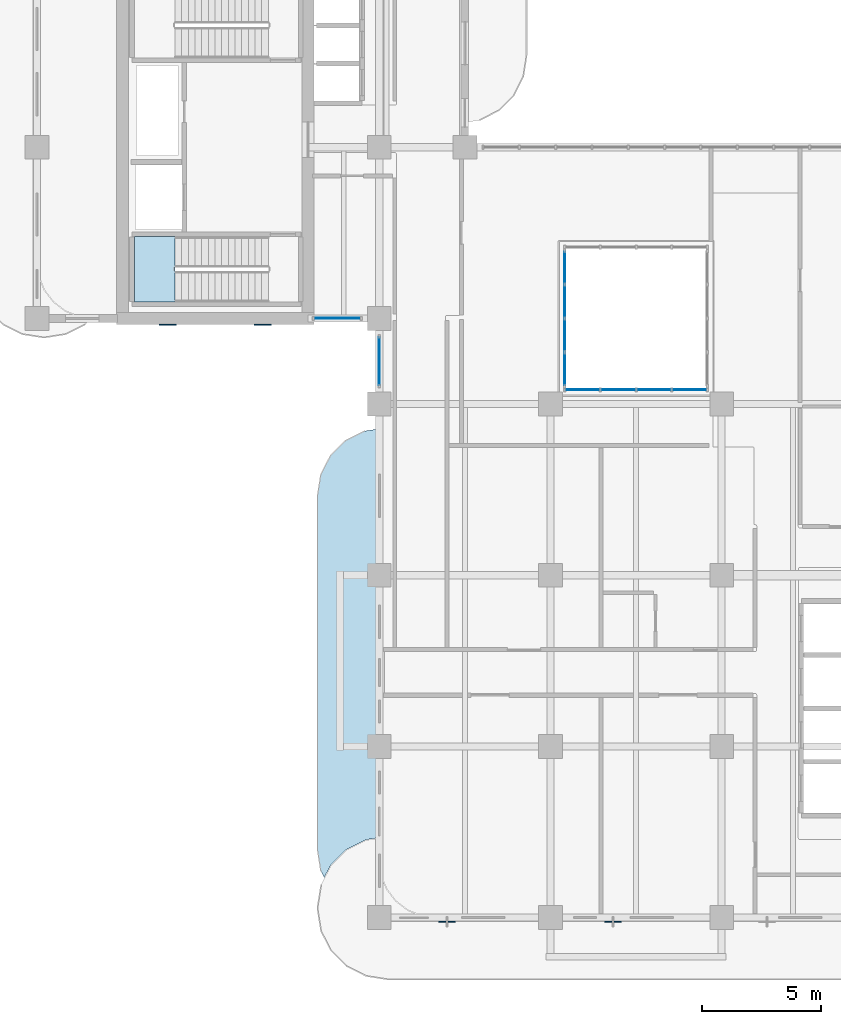
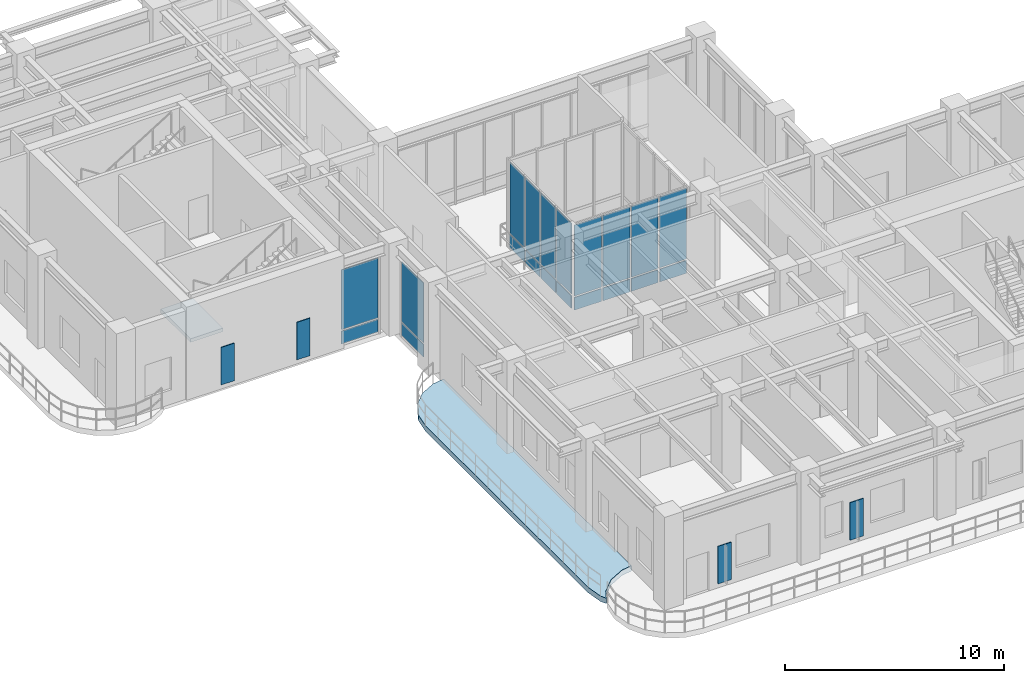
# One storey, part 7 of 21: 24 plates, 2 slabs, 5 elements without a shape of their own.
"""IFC4 building model written with IfcOpenShell, lengths in metres."""

from ifc_helpers import new_model, si_unit, derived_unit, direction, frame, origin, origin_2d, place, context, subcontext, project, spatial, polyline, rectangle, outline, extrude, source, transform, mapped, material, layer, layer_set, type_object, type_shapes, element, aggregate, save


model = new_model("IFC4")

# Units and contexts
model_context = context("Model", 3, precision=1e-05, world=origin(), true_north=direction((0.0, 1.0)))
body_context = subcontext(model_context, "Body", "Model", "MODEL_VIEW")
ifc_project = project(units=[si_unit("LENGTHUNIT", "METRE"), si_unit("AREAUNIT", "SQUARE_METRE"), si_unit("VOLUMEUNIT", "CUBIC_METRE"), si_unit("PLANEANGLEUNIT", "RADIAN"), si_unit("MASSUNIT", "GRAM", prefix="KILO"), si_unit("THERMODYNAMICTEMPERATUREUNIT", "KELVIN"), si_unit("POWERUNIT", "WATT"), derived_unit("THERMALTRANSMITTANCEUNIT", [(si_unit("POWERUNIT", "WATT"), 1), (si_unit("AREAUNIT", "SQUARE_METRE"), -1), (si_unit("THERMODYNAMICTEMPERATUREUNIT", "KELVIN"), -1)])], contexts=[model_context])

# Site, building, storey
site_placement = place(None, origin())
site = spatial("IfcSite", under=ifc_project, at=site_placement, CompositionType="ELEMENT")
building_placement = place(site_placement, origin())
building = spatial("IfcBuilding", under=site, at=building_placement, Name="Zahravan Archway Hotel and Residences", CompositionType="ELEMENT")
storey_placement = place(building_placement, frame((0.0, 0.0, 145.10009765625)))
storey = spatial("IfcBuildingStorey", under=building, at=storey_placement, Name="L36", CompositionType="ELEMENT", Elevation=145.10009765625)

# Slab
ifc_material_1 = material(Name="Concrete C50/60", Category="concrete")
ifc_layer_1 = layer(ifc_material_1, 0.300048828125, Name="Concrete C50/60", Category="concrete")
ifc_layer_set_1 = layer_set([ifc_layer_1], Name="Concrete C50/60")
slab_type_1 = type_object("IfcSlabType", Name="SLB-FLR-300", PredefinedType="FLOOR", material=ifc_layer_set_1)
slab_1_placement = place(storey_placement, frame((0.0, 0.0, -0.300048828125)))
element("IfcSlab", 1, at=slab_1_placement, inside=storey, type_object=slab_type_1, Name="L36 Wing A West Rounded Balcony Band", PredefinedType="FLOOR", context=body_context, shape_type="SweptSolid", body=[
    extrude(outline(polyline([(11.939453125, 1.96923828125), (11.800048828125, 2.85009765625), (11.800048828125, 17.75), (11.939453125, 18.630615234375), (12.34423828125, 19.42529296875), (12.974853515625, 20.0556640625), (13.769287109375, 20.46044921875), (14.3798828125, 20.55712890625), (14.3798828125, 3.361328125), (14.37890625, 3.361328125), (14.376953125, 3.361083984375), (13.835205078125, 3.275390625), (13.833251953125, 3.27490234375), (13.831298828125, 3.2744140625), (13.829345703125, 3.2734375), (13.0068359375, 2.8544921875), (13.005126953125, 2.853515625), (13.00341796875, 2.85205078125), (13.001953125, 2.8505859375), (12.349365234375, 2.197998046875), (12.347900390625, 2.196533203125), (12.3466796875, 2.19482421875), (12.345703125, 2.193115234375), (12.08544921875, 1.6826171875), (11.939453125, 1.96923828125)])), origin(), (0.0, 0.0, 1.0), 0.300048828125),
])

# Stair, slab
stair_type = type_object("IfcStairType", Name="STR-CORE-1300", PredefinedType="HALF_TURN_STAIR", material=ifc_material_1)
stair_placement = place(storey_placement, origin())
stair = element("IfcStair", 2, at=stair_placement, inside=storey, type_object=stair_type, Name="L36 Core B Exit Stair 1", PredefinedType="HALF_TURN_STAIR")
ifc_layer_2 = layer(ifc_material_1, 0.199951171875, Name="Concrete C50/60", Category="concrete")
ifc_layer_set_2 = layer_set([ifc_layer_2], Name="Concrete C50/60")
slab_type_2 = type_object("IfcSlabType", Name="SLB-LND-200", PredefinedType="LANDING", material=ifc_layer_set_2)
slab_2_placement = place(storey_placement, frame((0.0, 0.0, 2.39990234375)))
slab_2 = element("IfcSlab", 3, at=slab_2_placement, type_object=slab_type_2, Name="ST-B1 landing 1", PredefinedType="LANDING", context=body_context, shape_type="SweptSolid", body=[
    extrude(outline(polyline([(5.81005859375, 28.639892578125), (4.10009765625, 28.639892578125), (4.10009765625, 25.89990234375), (5.81005859375, 25.89990234375), (5.81005859375, 28.639892578125)])), origin(), (0.0, 0.0, 1.0), 0.199951171875),
])
aggregate(stair, [slab_2])

# Plates
ifc_material_2 = material(Name="Perforated Cast Bronze Jali Lattice")
ifc_layer_3 = layer(ifc_material_2, 0.044921875, Name="Perforated Cast Bronze Jali Lattice")
ifc_layer_set_3 = layer_set([ifc_layer_3], Name="Perforated Cast Bronze Jali Lattice")
plate_type_1 = type_object("IfcPlateType", Name="PLT-JALI-BAY", PredefinedType="USERDEFINED", material=ifc_layer_set_3)
shared_shape_1 = source(origin(), body_context, "Body", "SweptSolid", [
    extrude(rectangle(XDim=0.699951171875, YDim=0.044921875, at=origin_2d()), origin(), (0.0, 0.0, 1.0), 2.10009765625),
])
type_shapes(plate_type_1, [shared_shape_1])
for number, where, z_axis, x_axis, name in (
    (4, (5.5, 24.931884765625, 0.249755859375), (0.0, 0.0, 1.0), (1.0, 0.0, 0.0), "L36 Core B South Mughal Jali Screen 1"),
    (5, (9.5, 24.931884765625, 0.249755859375), (0.0, 0.0, 1.0), (1.0, 0.0, 0.0), "L36 Core B South Mughal Jali Screen 2"),
    (6, (17.25, -0.177978515625, 0.249755859375), (0.0, 0.0, 1.0), (1.0, 0.0, 0.0), "L36 Perforated Bronze Jali Pier Screen 01"),
    (7, (24.22802734375, -0.177978515625, 0.249755859375), (0.0, 0.0, 1.0), (1.0, 0.0, 0.0), "L36 Perforated Bronze Jali Pier Screen 02"),
):
    element("IfcPlate", number, at=place(storey_placement, frame(where, z_axis=z_axis, x_axis=x_axis)), inside=storey, type_object=plate_type_1, Name=name, ObjectType="SCREEN", PredefinedType="USERDEFINED", context=body_context, shape_type="MappedRepresentation", body=[
        mapped(shared_shape_1, transform((0.0, 0.0, 0.0), scale=1.0)),
    ])

# Curtain wall, plates
ifc_material_3 = material(Name="Bronze-Anodized Unitised Aluminium & Low-E Glass", Category="aluminium")
ifc_layer_4 = layer(ifc_material_3, 0.179931640625, Name="Bronze-Anodized Unitised Aluminium & Low-E Glass", Category="aluminium")
ifc_layer_set_4 = layer_set([ifc_layer_4], Name="Bronze-Anodized Unitised Aluminium & Low-E Glass")
curtain_wall_type_1 = type_object("IfcCurtainWallType", Name="CW-SBG-2", PredefinedType="NOTDEFINED", material=ifc_layer_set_4)
curtain_wall_1_placement = place(storey_placement, origin())
curtain_wall_1 = element("IfcCurtainWall", 8, at=curtain_wall_1_placement, inside=storey, type_object=curtain_wall_type_1, Name="L36 Curtain Wall CW-L36-WA-WLU-1", PredefinedType="NOTDEFINED")
ifc_material_4 = material(Name="Insulated Terracotta Spandrel Panel", Category="masonry")
ifc_layer_5 = layer(ifc_material_4, 0.0400390625, Name="Insulated Terracotta Spandrel Panel", Category="masonry")
ifc_layer_set_5 = layer_set([ifc_layer_5], Name="Insulated Terracotta Spandrel Panel")
plate_type_2 = type_object("IfcPlateType", Name="CWP-SPN-40", PredefinedType="SHEET", material=ifc_layer_set_5)
shared_shape_2 = source(origin(), body_context, "Body", "SweptSolid", [
    extrude(rectangle(XDim=2.0, YDim=0.0400390625, at=origin_2d()), origin(), (0.0, 0.0, 1.0), 0.7099609375),
])
plate_1_placement = place(storey_placement, frame((14.39990234375, 23.39990234375, 0.099853515625), z_axis=(0.0, 0.0, 1.0), x_axis=(0.0, 1.0, 0.0)))
plate_1 = element("IfcPlate", 9, at=plate_1_placement, type_object=plate_type_2, Name="CW-L36-WA-WLU-1 Spandrel Panel 0", PredefinedType="SHEET", context=body_context, shape_type="MappedRepresentation", body=[
    mapped(shared_shape_2, transform((0.0, 0.0, 0.0), scale=1.0)),
])
ifc_material_5 = material(Name="Double-Silver Low-E Insulated Vision Glass", Category="glass")
ifc_layer_6 = layer(ifc_material_5, 0.028076171875, Name="Double-Silver Low-E Insulated Vision Glass", Category="glass")
ifc_layer_set_6 = layer_set([ifc_layer_6], Name="Double-Silver Low-E Insulated Vision Glass")
plate_type_3 = type_object("IfcPlateType", Name="CWP-GLZ-28", PredefinedType="CURTAIN_PANEL", material=ifc_layer_set_6)
shared_shape_3 = source(origin(), body_context, "Body", "SweptSolid", [
    extrude(rectangle(XDim=2.0, YDim=0.028076171875, at=origin_2d()), origin(), (0.0, 0.0, 1.0), 3.344970703125),
])
plate_2_placement = place(storey_placement, frame((14.39990234375, 23.39990234375, 0.89013671875), z_axis=(0.0, 0.0, 1.0), x_axis=(0.0, 1.0, 0.0)))
plate_2 = element("IfcPlate", 10, at=plate_2_placement, type_object=plate_type_3, Name="CW-L36-WA-WLU-1 Low-E Vision Panel 0", PredefinedType="CURTAIN_PANEL", context=body_context, shape_type="MappedRepresentation", body=[
    mapped(shared_shape_3, transform((0.0, 0.0, 0.0), scale=1.0)),
])
aggregate(curtain_wall_1, [plate_1, plate_2])

curtain_wall_2_placement = place(storey_placement, origin())
curtain_wall_2 = element("IfcCurtainWall", 11, at=curtain_wall_2_placement, inside=storey, type_object=curtain_wall_type_1, Name="L36 Curtain Wall CW-L36-WB-SE-1", PredefinedType="NOTDEFINED")
shared_shape_4 = source(origin(), body_context, "Body", "SweptSolid", [
    extrude(rectangle(XDim=1.93994140625, YDim=0.0400390625, at=origin_2d()), origin(), (0.0, 0.0, 1.0), 0.7099609375),
])
plate_3_placement = place(storey_placement, frame((12.6298828125, 25.199951171875, 0.099853515625), z_axis=(0.0, 0.0, 1.0), x_axis=(1.0, 0.0, 0.0)))
plate_3 = element("IfcPlate", 12, at=plate_3_placement, type_object=plate_type_2, Name="CW-L36-WB-SE-1 Spandrel Panel 0", PredefinedType="SHEET", context=body_context, shape_type="MappedRepresentation", body=[
    mapped(shared_shape_4, transform((0.0, 0.0, 0.0), scale=1.0)),
])
shared_shape_5 = source(origin(), body_context, "Body", "SweptSolid", [
    extrude(rectangle(XDim=1.93994140625, YDim=0.028076171875, at=origin_2d()), origin(), (0.0, 0.0, 1.0), 3.344970703125),
])
plate_4_placement = place(storey_placement, frame((12.6298828125, 25.199951171875, 0.89013671875), z_axis=(0.0, 0.0, 1.0), x_axis=(1.0, 0.0, 0.0)))
plate_4 = element("IfcPlate", 13, at=plate_4_placement, type_object=plate_type_3, Name="CW-L36-WB-SE-1 Low-E Vision Panel 0", PredefinedType="CURTAIN_PANEL", context=body_context, shape_type="MappedRepresentation", body=[
    mapped(shared_shape_5, transform((0.0, 0.0, 0.0), scale=1.0)),
])
aggregate(curtain_wall_2, [plate_3, plate_4])

ifc_layer_7 = layer(ifc_material_3, 0.179931640625, Name="Bronze-Anodized Unitised Aluminium & Low-E Glass", Category="aluminium")
ifc_layer_set_7 = layer_set([ifc_layer_7], Name="Bronze-Anodized Unitised Aluminium & Low-E Glass")
curtain_wall_type_2 = type_object("IfcCurtainWallType", Name="CW-ATR-GLAZ", PredefinedType="NOTDEFINED", material=ifc_layer_set_7)
curtain_wall_3_placement = place(storey_placement, origin())
curtain_wall_3 = element("IfcCurtainWall", 14, at=curtain_wall_3_placement, inside=storey, type_object=curtain_wall_type_2, Name="L36 Curtain Wall CW-ATR-L36-S-1", PredefinedType="NOTDEFINED")
shared_shape_6 = source(origin(), body_context, "Body", "SweptSolid", [
    extrude(rectangle(XDim=1.419921875, YDim=0.0400390625, at=origin_2d()), origin(), (0.0, 0.0, 1.0), 0.7099609375),
])
plate_5_placement = place(storey_placement, frame((22.949951171875, 22.199951171875, 0.099853515625), z_axis=(0.0, 0.0, 1.0), x_axis=(1.0, 0.0, 0.0)))
plate_5 = element("IfcPlate", 15, at=plate_5_placement, type_object=plate_type_2, Name="CW-ATR-L36-S-1 Spandrel Panel 0", PredefinedType="SHEET", context=body_context, shape_type="MappedRepresentation", body=[
    mapped(shared_shape_6, transform((0.0, 0.0, 0.0), scale=1.0)),
])
plate_6_placement = place(storey_placement, frame((24.449951171875, 22.199951171875, 0.099853515625), z_axis=(0.0, 0.0, 1.0), x_axis=(1.0, 0.0, 0.0)))
plate_6 = element("IfcPlate", 16, at=plate_6_placement, type_object=plate_type_2, Name="CW-ATR-L36-S-1 Spandrel Panel 1", PredefinedType="SHEET", context=body_context, shape_type="MappedRepresentation", body=[
    mapped(shared_shape_6, transform((0.0, 0.0, 0.0), scale=1.0)),
])
plate_7_placement = place(storey_placement, frame((25.949951171875, 22.199951171875, 0.099853515625), z_axis=(0.0, 0.0, 1.0), x_axis=(1.0, 0.0, 0.0)))
plate_7 = element("IfcPlate", 17, at=plate_7_placement, type_object=plate_type_2, Name="CW-ATR-L36-S-1 Spandrel Panel 2", PredefinedType="SHEET", context=body_context, shape_type="MappedRepresentation", body=[
    mapped(shared_shape_6, transform((0.0, 0.0, 0.0), scale=1.0)),
])
plate_8_placement = place(storey_placement, frame((27.449951171875, 22.199951171875, 0.099853515625), z_axis=(0.0, 0.0, 1.0), x_axis=(1.0, 0.0, 0.0)))
plate_8 = element("IfcPlate", 18, at=plate_8_placement, type_object=plate_type_2, Name="CW-ATR-L36-S-1 Spandrel Panel 3", PredefinedType="SHEET", context=body_context, shape_type="MappedRepresentation", body=[
    mapped(shared_shape_6, transform((0.0, 0.0, 0.0), scale=1.0)),
])
shared_shape_7 = source(origin(), body_context, "Body", "SweptSolid", [
    extrude(rectangle(XDim=1.419921875, YDim=0.028076171875, at=origin_2d()), origin(), (0.0, 0.0, 1.0), 3.9599609375),
])
plate_9_placement = place(storey_placement, frame((22.949951171875, 22.199951171875, 0.889892578125), z_axis=(0.0, 0.0, 1.0), x_axis=(1.0, 0.0, 0.0)))
plate_9 = element("IfcPlate", 19, at=plate_9_placement, type_object=plate_type_3, Name="CW-ATR-L36-S-1 Low-E Vision Panel 0", PredefinedType="CURTAIN_PANEL", context=body_context, shape_type="MappedRepresentation", body=[
    mapped(shared_shape_7, transform((0.0, 0.0, 0.0), scale=1.0)),
])
plate_10_placement = place(storey_placement, frame((24.449951171875, 22.199951171875, 0.889892578125), z_axis=(0.0, 0.0, 1.0), x_axis=(1.0, 0.0, 0.0)))
plate_10 = element("IfcPlate", 20, at=plate_10_placement, type_object=plate_type_3, Name="CW-ATR-L36-S-1 Low-E Vision Panel 1", PredefinedType="CURTAIN_PANEL", context=body_context, shape_type="MappedRepresentation", body=[
    mapped(shared_shape_7, transform((0.0, 0.0, 0.0), scale=1.0)),
])
plate_11_placement = place(storey_placement, frame((25.949951171875, 22.199951171875, 0.889892578125), z_axis=(0.0, 0.0, 1.0), x_axis=(1.0, 0.0, 0.0)))
plate_11 = element("IfcPlate", 21, at=plate_11_placement, type_object=plate_type_3, Name="CW-ATR-L36-S-1 Low-E Vision Panel 2", PredefinedType="CURTAIN_PANEL", context=body_context, shape_type="MappedRepresentation", body=[
    mapped(shared_shape_7, transform((0.0, 0.0, 0.0), scale=1.0)),
])
plate_12_placement = place(storey_placement, frame((27.449951171875, 22.199951171875, 0.889892578125), z_axis=(0.0, 0.0, 1.0), x_axis=(1.0, 0.0, 0.0)))
plate_12 = element("IfcPlate", 22, at=plate_12_placement, type_object=plate_type_3, Name="CW-ATR-L36-S-1 Low-E Vision Panel 3", PredefinedType="CURTAIN_PANEL", context=body_context, shape_type="MappedRepresentation", body=[
    mapped(shared_shape_7, transform((0.0, 0.0, 0.0), scale=1.0)),
])
aggregate(curtain_wall_3, [plate_5, plate_9, plate_6, plate_10, plate_7, plate_11, plate_8, plate_12])

curtain_wall_4_placement = place(storey_placement, origin())
curtain_wall_4 = element("IfcCurtainWall", 23, at=curtain_wall_4_placement, inside=storey, type_object=curtain_wall_type_2, Name="L36 Curtain Wall CW-ATR-L36-W-1", PredefinedType="NOTDEFINED")
shared_shape_8 = source(origin(), body_context, "Body", "SweptSolid", [
    extrude(rectangle(XDim=1.344970703125, YDim=0.0400390625, at=origin_2d()), origin(), (0.0, 0.0, 1.0), 0.7099609375),
])
plate_13_placement = place(storey_placement, frame((22.199951171875, 23.0625, 0.099853515625), z_axis=(0.0, 0.0, 1.0), x_axis=(0.0, 1.0, 0.0)))
plate_13 = element("IfcPlate", 24, at=plate_13_placement, type_object=plate_type_2, Name="CW-ATR-L36-W-1 Spandrel Panel 0", PredefinedType="SHEET", context=body_context, shape_type="MappedRepresentation", body=[
    mapped(shared_shape_8, transform((0.0, 0.0, 0.0), scale=1.0)),
])
plate_14_placement = place(storey_placement, frame((22.199951171875, 24.487548828125, 0.099853515625), z_axis=(0.0, 0.0, 1.0), x_axis=(0.0, 1.0, 0.0)))
plate_14 = element("IfcPlate", 25, at=plate_14_placement, type_object=plate_type_2, Name="CW-ATR-L36-W-1 Spandrel Panel 1", PredefinedType="SHEET", context=body_context, shape_type="MappedRepresentation", body=[
    mapped(shared_shape_8, transform((0.0, 0.0, 0.0), scale=1.0)),
])
plate_15_placement = place(storey_placement, frame((22.199951171875, 25.91259765625, 0.099853515625), z_axis=(0.0, 0.0, 1.0), x_axis=(0.0, 1.0, 0.0)))
plate_15 = element("IfcPlate", 26, at=plate_15_placement, type_object=plate_type_2, Name="CW-ATR-L36-W-1 Spandrel Panel 2", PredefinedType="SHEET", context=body_context, shape_type="MappedRepresentation", body=[
    mapped(shared_shape_8, transform((0.0, 0.0, 0.0), scale=1.0)),
])
plate_16_placement = place(storey_placement, frame((22.199951171875, 27.33740234375, 0.099853515625), z_axis=(0.0, 0.0, 1.0), x_axis=(0.0, 1.0, 0.0)))
plate_16 = element("IfcPlate", 27, at=plate_16_placement, type_object=plate_type_2, Name="CW-ATR-L36-W-1 Spandrel Panel 3", PredefinedType="SHEET", context=body_context, shape_type="MappedRepresentation", body=[
    mapped(shared_shape_8, transform((0.0, 0.0, 0.0), scale=1.0)),
])
shared_shape_9 = source(origin(), body_context, "Body", "SweptSolid", [
    extrude(rectangle(XDim=1.344970703125, YDim=0.028076171875, at=origin_2d()), origin(), (0.0, 0.0, 1.0), 3.9599609375),
])
plate_17_placement = place(storey_placement, frame((22.199951171875, 23.0625, 0.889892578125), z_axis=(0.0, 0.0, 1.0), x_axis=(0.0, 1.0, 0.0)))
plate_17 = element("IfcPlate", 28, at=plate_17_placement, type_object=plate_type_3, Name="CW-ATR-L36-W-1 Low-E Vision Panel 0", PredefinedType="CURTAIN_PANEL", context=body_context, shape_type="MappedRepresentation", body=[
    mapped(shared_shape_9, transform((0.0, 0.0, 0.0), scale=1.0)),
])
plate_18_placement = place(storey_placement, frame((22.199951171875, 24.487548828125, 0.889892578125), z_axis=(0.0, 0.0, 1.0), x_axis=(0.0, 1.0, 0.0)))
plate_18 = element("IfcPlate", 29, at=plate_18_placement, type_object=plate_type_3, Name="CW-ATR-L36-W-1 Low-E Vision Panel 1", PredefinedType="CURTAIN_PANEL", context=body_context, shape_type="MappedRepresentation", body=[
    mapped(shared_shape_9, transform((0.0, 0.0, 0.0), scale=1.0)),
])
plate_19_placement = place(storey_placement, frame((22.199951171875, 25.91259765625, 0.889892578125), z_axis=(0.0, 0.0, 1.0), x_axis=(0.0, 1.0, 0.0)))
plate_19 = element("IfcPlate", 30, at=plate_19_placement, type_object=plate_type_3, Name="CW-ATR-L36-W-1 Low-E Vision Panel 2", PredefinedType="CURTAIN_PANEL", context=body_context, shape_type="MappedRepresentation", body=[
    mapped(shared_shape_9, transform((0.0, 0.0, 0.0), scale=1.0)),
])
plate_20_placement = place(storey_placement, frame((22.199951171875, 27.33740234375, 0.889892578125), z_axis=(0.0, 0.0, 1.0), x_axis=(0.0, 1.0, 0.0)))
plate_20 = element("IfcPlate", 31, at=plate_20_placement, type_object=plate_type_3, Name="CW-ATR-L36-W-1 Low-E Vision Panel 3", PredefinedType="CURTAIN_PANEL", context=body_context, shape_type="MappedRepresentation", body=[
    mapped(shared_shape_9, transform((0.0, 0.0, 0.0), scale=1.0)),
])
aggregate(curtain_wall_4, [plate_13, plate_17, plate_14, plate_18, plate_15, plate_19, plate_16, plate_20])

save(model, "model.ifc")
